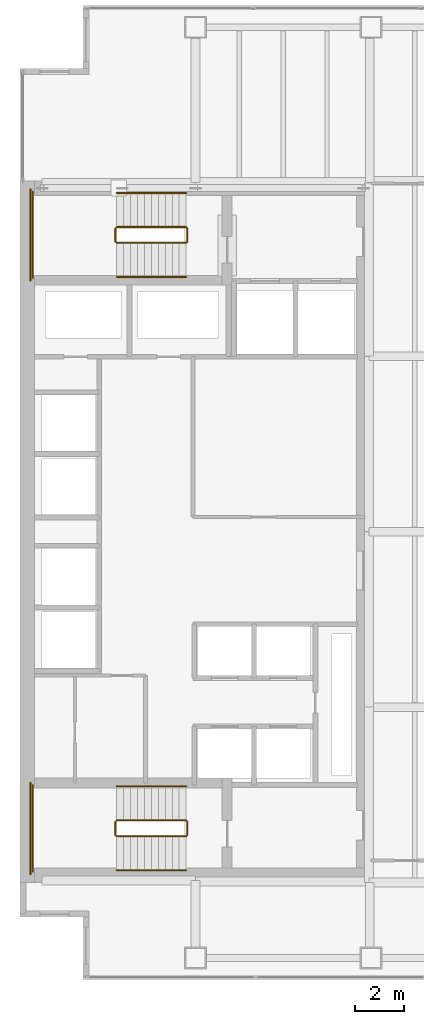
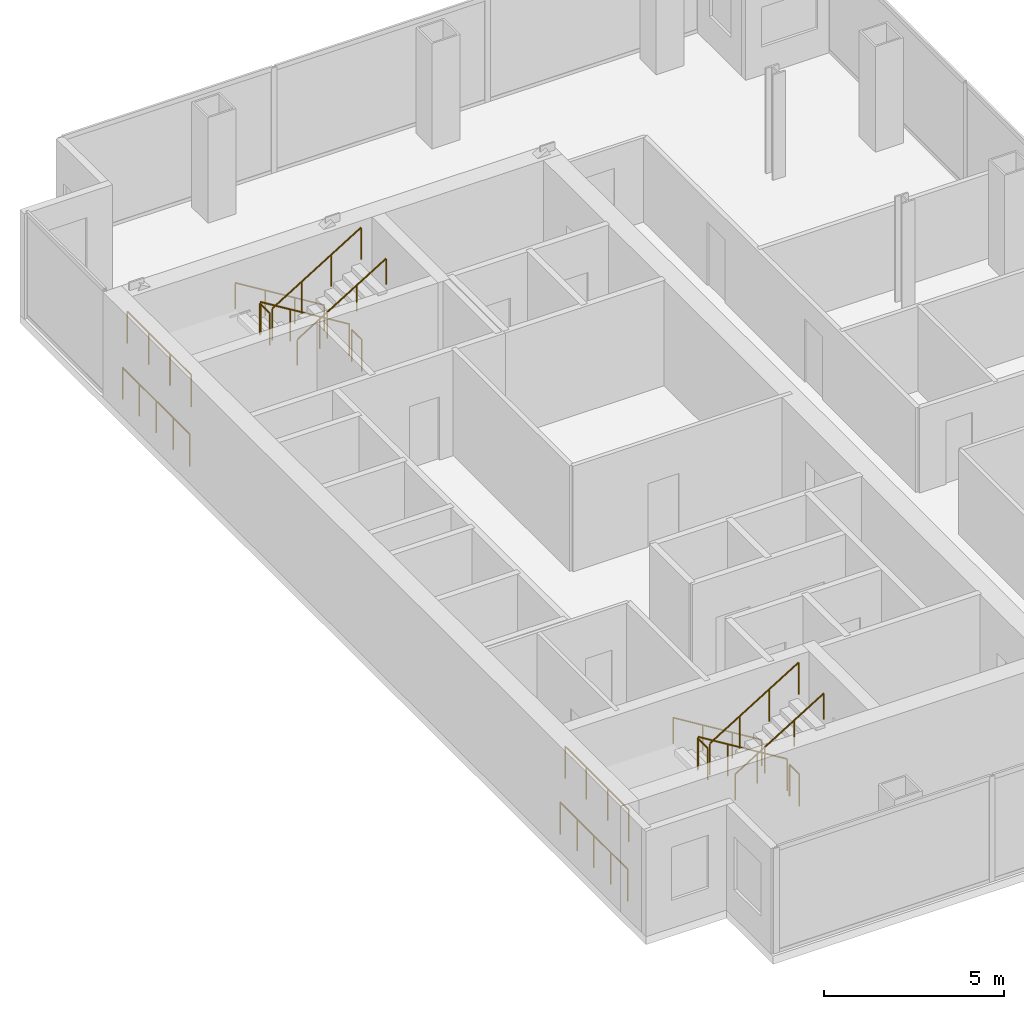
# One storey, part 23 of 23: 16 railings.
"""IFC4 building model written with IfcOpenShell, lengths in metres."""

from ifc_helpers import new_model, si_unit, direction, frame, origin, origin_2d, place, context, subcontext, project, spatial, circle, extrude, material, type_object, element, save


model = new_model("IFC4")

# Units and contexts
model_context = context("Model", 3, precision=1e-05, world=origin(), true_north=direction((0.0, 1.0)))
body_context = subcontext(model_context, "Body", "Model", "MODEL_VIEW")
ifc_project = project(units=[si_unit("LENGTHUNIT", "METRE"), si_unit("AREAUNIT", "SQUARE_METRE"), si_unit("VOLUMEUNIT", "CUBIC_METRE"), si_unit("PLANEANGLEUNIT", "RADIAN"), si_unit("MASSUNIT", "GRAM", prefix="KILO")], contexts=[model_context])

# Site, building, storey
site_placement = place(None, origin())
site = spatial("IfcSite", under=ifc_project, at=site_placement, CompositionType="ELEMENT")
building_placement = place(site_placement, origin())
building = spatial("IfcBuilding", under=site, at=building_placement, Name="Cobrela Telecom Tower", CompositionType="ELEMENT")
storey_placement = place(building_placement, frame((0.0, 0.0, 144.550048828125)))
storey = spatial("IfcBuildingStorey", under=building, at=storey_placement, Name="L36", CompositionType="ELEMENT", Elevation=144.550048828125)

# Railings
ifc_material = material(Name="Steel ASTM A36", Category="steel")
railing_type_1 = type_object("IfcRailingType", Name="RAIL-GUARD-1100", PredefinedType="GUARDRAIL", material=ifc_material)
railing_1_placement = place(storey_placement, frame((6.820068359375, 34.10009765625, 0.175048828125)))
element("IfcRailing", 1, at=railing_1_placement, inside=storey, type_object=railing_type_1, Name="L36 ST1 stair guard 1", PredefinedType="GUARDRAIL", context=body_context, shape_type="SweptSolid", body=[
    extrude(circle(Radius=0.02392578125, at=origin_2d()), frame((0.0, 0.0, 1.076171875), z_axis=(-0.852179220489, 0.0, 0.52325001306), x_axis=(0.0, -1.0, 0.0)), (0.0, 0.0, 1.0), 3.344482421875),
    extrude(circle(Radius=0.02099609375, at=origin_2d()), origin(), (0.0, 0.0, 1.0), 1.052001953125),
    extrude(circle(Radius=0.02099609375, at=origin_2d()), frame((-0.949951171875, 0.0, 0.583251953125)), (0.0, 0.0, 1.0), 1.052001953125),
    extrude(circle(Radius=0.02099609375, at=origin_2d()), frame((-1.900146484375, 0.0, 1.166748046875)), (0.0, 0.0, 1.0), 1.052001953125),
    extrude(circle(Radius=0.02099609375, at=origin_2d()), frame((-2.85009765625, 0.0, 1.75)), (0.0, 0.0, 1.0), 1.052001953125),
])
railing_2_placement = place(storey_placement, frame((3.919921875, 34.050048828125, 1.925048828125)))
element("IfcRailing", 2, at=railing_2_placement, inside=storey, type_object=railing_type_1, Name="L36 ST1 stair guard 2", PredefinedType="GUARDRAIL", context=body_context, shape_type="SweptSolid", body=[
    extrude(circle(Radius=0.02392578125, at=origin_2d()), frame((0.0, 0.0, 1.076171875), z_axis=(0.0, -1.0, 0.0), x_axis=(1.0, 0.0, 0.0)), (0.0, 0.0, 1.0), 0.550048828125),
    extrude(circle(Radius=0.02099609375, at=origin_2d()), origin(), (0.0, 0.0, 1.0), 1.052001953125),
    extrude(circle(Radius=0.02099609375, at=origin_2d()), frame((0.0, -0.550048828125, 0.0)), (0.0, 0.0, 1.0), 1.052001953125),
])
railing_3_placement = place(storey_placement, frame((0.530029296875, 35.550048828125, 1.925048828125)))
element("IfcRailing", 3, at=railing_3_placement, inside=storey, type_object=railing_type_1, Name="L36 ST1 stair guard 3", PredefinedType="GUARDRAIL", context=body_context, shape_type="SweptSolid", body=[
    extrude(circle(Radius=0.02392578125, at=origin_2d()), frame((0.0, 0.0, 1.076171875), z_axis=(0.0, -1.0, 0.0), x_axis=(1.0, 0.0, 0.0)), (0.0, 0.0, 1.0), 3.550048828125),
    extrude(circle(Radius=0.02099609375, at=origin_2d()), origin(), (0.0, 0.0, 1.0), 1.052001953125),
    extrude(circle(Radius=0.02099609375, at=origin_2d()), frame((0.0, -1.183349609375, 0.0)), (0.0, 0.0, 1.0), 1.052001953125),
    extrude(circle(Radius=0.02099609375, at=origin_2d()), frame((0.0, -2.36669921875, 0.0)), (0.0, 0.0, 1.0), 1.052001953125),
    extrude(circle(Radius=0.02099609375, at=origin_2d()), frame((0.0, -3.550048828125, 0.0)), (0.0, 0.0, 1.0), 1.052001953125),
])
railing_4_placement = place(storey_placement, frame((3.969970703125, 33.449951171875, 2.099853515625)))
element("IfcRailing", 4, at=railing_4_placement, inside=storey, type_object=railing_type_1, Name="L36 ST1 stair guard 4", PredefinedType="GUARDRAIL", context=body_context, shape_type="SweptSolid", body=[
    extrude(circle(Radius=0.02392578125, at=origin_2d()), frame((0.0, 0.0, 1.076171875), z_axis=(0.852179220489, 0.0, 0.52325001306), x_axis=(0.0, 1.0, 0.0)), (0.0, 0.0, 1.0), 3.344482421875),
    extrude(circle(Radius=0.02099609375, at=origin_2d()), origin(), (0.0, 0.0, 1.0), 1.052001953125),
    extrude(circle(Radius=0.02099609375, at=origin_2d()), frame((0.949951171875, 0.0, 0.583251953125)), (0.0, 0.0, 1.0), 1.052001953125),
    extrude(circle(Radius=0.02099609375, at=origin_2d()), frame((1.900146484375, 0.0, 1.166748046875)), (0.0, 0.0, 1.0), 1.052001953125),
    extrude(circle(Radius=0.02099609375, at=origin_2d()), frame((2.85009765625, 0.0, 1.75)), (0.0, 0.0, 1.0), 1.052001953125),
])
railing_5_placement = place(storey_placement, frame((6.8701171875, 34.050048828125, 0.0)))
element("IfcRailing", 5, at=railing_5_placement, inside=storey, type_object=railing_type_1, Name="L36 ST1 stair guard 5", PredefinedType="GUARDRAIL", context=body_context, shape_type="SweptSolid", body=[
    extrude(circle(Radius=0.02392578125, at=origin_2d()), frame((0.0, 0.0, 1.076171875), z_axis=(0.0, -1.0, 0.0), x_axis=(1.0, 0.0, 0.0)), (0.0, 0.0, 1.0), 0.550048828125),
    extrude(circle(Radius=0.02099609375, at=origin_2d()), origin(), (0.0, 0.0, 1.0), 1.052001953125),
    extrude(circle(Radius=0.02099609375, at=origin_2d()), frame((0.0, -0.550048828125, 0.0)), (0.0, 0.0, 1.0), 1.052001953125),
])
railing_6_placement = place(storey_placement, frame((0.429931640625, 35.64990234375, 0.0)))
element("IfcRailing", 6, at=railing_6_placement, inside=storey, type_object=railing_type_1, Name="L36 ST1 stair guard 6", PredefinedType="GUARDRAIL", context=body_context, shape_type="SweptSolid", body=[
    extrude(circle(Radius=0.02392578125, at=origin_2d()), frame((0.0, 0.0, 1.076171875), z_axis=(0.0, -1.0, 0.0), x_axis=(1.0, 0.0, 0.0)), (0.0, 0.0, 1.0), 3.75),
    extrude(circle(Radius=0.02099609375, at=origin_2d()), origin(), (0.0, 0.0, 1.0), 1.052001953125),
    extrude(circle(Radius=0.02099609375, at=origin_2d()), frame((0.0, -0.9375, 0.0)), (0.0, 0.0, 1.0), 1.052001953125),
    extrude(circle(Radius=0.02099609375, at=origin_2d()), frame((0.0, -1.875, 0.0)), (0.0, 0.0, 1.0), 1.052001953125),
    extrude(circle(Radius=0.02099609375, at=origin_2d()), frame((0.0, -2.8125, 0.0)), (0.0, 0.0, 1.0), 1.052001953125),
    extrude(circle(Radius=0.02099609375, at=origin_2d()), frame((0.0, -3.75, 0.0)), (0.0, 0.0, 1.0), 1.052001953125),
])
railing_7_placement = place(storey_placement, frame((6.820068359375, 9.75, 0.175048828125)))
element("IfcRailing", 7, at=railing_7_placement, inside=storey, type_object=railing_type_1, Name="L36 ST2 stair guard 1", PredefinedType="GUARDRAIL", context=body_context, shape_type="SweptSolid", body=[
    extrude(circle(Radius=0.02392578125, at=origin_2d()), frame((0.0, 0.0, 1.076171875), z_axis=(-0.852179220489, 0.0, 0.52325001306), x_axis=(0.0, -1.0, 0.0)), (0.0, 0.0, 1.0), 3.344482421875),
    extrude(circle(Radius=0.02099609375, at=origin_2d()), origin(), (0.0, 0.0, 1.0), 1.052001953125),
    extrude(circle(Radius=0.02099609375, at=origin_2d()), frame((-0.949951171875, 0.0, 0.583251953125)), (0.0, 0.0, 1.0), 1.052001953125),
    extrude(circle(Radius=0.02099609375, at=origin_2d()), frame((-1.900146484375, 0.0, 1.166748046875)), (0.0, 0.0, 1.0), 1.052001953125),
    extrude(circle(Radius=0.02099609375, at=origin_2d()), frame((-2.85009765625, 0.0, 1.75)), (0.0, 0.0, 1.0), 1.052001953125),
])
railing_8_placement = place(storey_placement, frame((3.919921875, 9.699951171875, 1.925048828125)))
element("IfcRailing", 8, at=railing_8_placement, inside=storey, type_object=railing_type_1, Name="L36 ST2 stair guard 2", PredefinedType="GUARDRAIL", context=body_context, shape_type="SweptSolid", body=[
    extrude(circle(Radius=0.02392578125, at=origin_2d()), frame((0.0, 0.0, 1.076171875), z_axis=(0.0, -1.0, 0.0), x_axis=(1.0, 0.0, 0.0)), (0.0, 0.0, 1.0), 0.550048828125),
    extrude(circle(Radius=0.02099609375, at=origin_2d()), origin(), (0.0, 0.0, 1.0), 1.052001953125),
    extrude(circle(Radius=0.02099609375, at=origin_2d()), frame((0.0, -0.550048828125, 0.0)), (0.0, 0.0, 1.0), 1.052001953125),
])
railing_9_placement = place(storey_placement, frame((0.530029296875, 11.199951171875, 1.925048828125)))
element("IfcRailing", 9, at=railing_9_placement, inside=storey, type_object=railing_type_1, Name="L36 ST2 stair guard 3", PredefinedType="GUARDRAIL", context=body_context, shape_type="SweptSolid", body=[
    extrude(circle(Radius=0.02392578125, at=origin_2d()), frame((0.0, 0.0, 1.076171875), z_axis=(0.0, -1.0, 0.0), x_axis=(1.0, 0.0, 0.0)), (0.0, 0.0, 1.0), 3.550048828125),
    extrude(circle(Radius=0.02099609375, at=origin_2d()), origin(), (0.0, 0.0, 1.0), 1.052001953125),
    extrude(circle(Radius=0.02099609375, at=origin_2d()), frame((0.0, -1.183349609375, 0.0)), (0.0, 0.0, 1.0), 1.052001953125),
    extrude(circle(Radius=0.02099609375, at=origin_2d()), frame((0.0, -2.36669921875, 0.0)), (0.0, 0.0, 1.0), 1.052001953125),
    extrude(circle(Radius=0.02099609375, at=origin_2d()), frame((0.0, -3.550048828125, 0.0)), (0.0, 0.0, 1.0), 1.052001953125),
])
railing_10_placement = place(storey_placement, frame((3.969970703125, 9.10009765625, 2.099853515625)))
element("IfcRailing", 10, at=railing_10_placement, inside=storey, type_object=railing_type_1, Name="L36 ST2 stair guard 4", PredefinedType="GUARDRAIL", context=body_context, shape_type="SweptSolid", body=[
    extrude(circle(Radius=0.02392578125, at=origin_2d()), frame((0.0, 0.0, 1.076171875), z_axis=(0.852179220489, 0.0, 0.52325001306), x_axis=(0.0, 1.0, 0.0)), (0.0, 0.0, 1.0), 3.344482421875),
    extrude(circle(Radius=0.02099609375, at=origin_2d()), origin(), (0.0, 0.0, 1.0), 1.052001953125),
    extrude(circle(Radius=0.02099609375, at=origin_2d()), frame((0.949951171875, 0.0, 0.583251953125)), (0.0, 0.0, 1.0), 1.052001953125),
    extrude(circle(Radius=0.02099609375, at=origin_2d()), frame((1.900146484375, 0.0, 1.166748046875)), (0.0, 0.0, 1.0), 1.052001953125),
    extrude(circle(Radius=0.02099609375, at=origin_2d()), frame((2.85009765625, 0.0, 1.75)), (0.0, 0.0, 1.0), 1.052001953125),
])
railing_11_placement = place(storey_placement, frame((6.8701171875, 9.699951171875, 0.0)))
element("IfcRailing", 11, at=railing_11_placement, inside=storey, type_object=railing_type_1, Name="L36 ST2 stair guard 5", PredefinedType="GUARDRAIL", context=body_context, shape_type="SweptSolid", body=[
    extrude(circle(Radius=0.02392578125, at=origin_2d()), frame((0.0, 0.0, 1.076171875), z_axis=(0.0, -1.0, 0.0), x_axis=(1.0, 0.0, 0.0)), (0.0, 0.0, 1.0), 0.550048828125),
    extrude(circle(Radius=0.02099609375, at=origin_2d()), origin(), (0.0, 0.0, 1.0), 1.052001953125),
    extrude(circle(Radius=0.02099609375, at=origin_2d()), frame((0.0, -0.550048828125, 0.0)), (0.0, 0.0, 1.0), 1.052001953125),
])
railing_12_placement = place(storey_placement, frame((0.429931640625, 11.300048828125, 0.0)))
element("IfcRailing", 12, at=railing_12_placement, inside=storey, type_object=railing_type_1, Name="L36 ST2 stair guard 6", PredefinedType="GUARDRAIL", context=body_context, shape_type="SweptSolid", body=[
    extrude(circle(Radius=0.02392578125, at=origin_2d()), frame((0.0, 0.0, 1.076171875), z_axis=(0.0, -1.0, 0.0), x_axis=(1.0, 0.0, 0.0)), (0.0, 0.0, 1.0), 3.75),
    extrude(circle(Radius=0.02099609375, at=origin_2d()), origin(), (0.0, 0.0, 1.0), 1.052001953125),
    extrude(circle(Radius=0.02099609375, at=origin_2d()), frame((0.0, -0.9375, 0.0)), (0.0, 0.0, 1.0), 1.052001953125),
    extrude(circle(Radius=0.02099609375, at=origin_2d()), frame((0.0, -1.875, 0.0)), (0.0, 0.0, 1.0), 1.052001953125),
    extrude(circle(Radius=0.02099609375, at=origin_2d()), frame((0.0, -2.8125, 0.0)), (0.0, 0.0, 1.0), 1.052001953125),
    extrude(circle(Radius=0.02099609375, at=origin_2d()), frame((0.0, -3.75, 0.0)), (0.0, 0.0, 1.0), 1.052001953125),
])
railing_type_2 = type_object("IfcRailingType", Name="RAIL-HAND-920", PredefinedType="HANDRAIL", material=ifc_material)
railing_13_placement = place(storey_placement, frame((6.820068359375, 35.5, 0.175048828125)))
element("IfcRailing", 13, at=railing_13_placement, inside=storey, type_object=railing_type_2, Name="L36 ST1 stair handrail 1", PredefinedType="HANDRAIL", context=body_context, shape_type="SweptSolid", body=[
    extrude(circle(Radius=0.02392578125, at=origin_2d()), frame((0.0, 0.0, 0.8759765625), z_axis=(-0.852179220489, 0.0, 0.52325001306), x_axis=(0.0, -1.0, 0.0)), (0.0, 0.0, 1.0), 3.344482421875),
    extrude(circle(Radius=0.02099609375, at=origin_2d()), origin(), (0.0, 0.0, 1.0), 0.851806640625),
    extrude(circle(Radius=0.02099609375, at=origin_2d()), frame((-0.949951171875, 0.0, 0.583251953125)), (0.0, 0.0, 1.0), 0.851806640625),
    extrude(circle(Radius=0.02099609375, at=origin_2d()), frame((-1.900146484375, 0.0, 1.166748046875)), (0.0, 0.0, 1.0), 0.851806640625),
    extrude(circle(Radius=0.02099609375, at=origin_2d()), frame((-2.85009765625, 0.0, 1.75)), (0.0, 0.0, 1.0), 0.851806640625),
])
railing_14_placement = place(storey_placement, frame((3.969970703125, 32.050048828125, 2.099853515625)))
element("IfcRailing", 14, at=railing_14_placement, inside=storey, type_object=railing_type_2, Name="L36 ST1 stair handrail 2", PredefinedType="HANDRAIL", context=body_context, shape_type="SweptSolid", body=[
    extrude(circle(Radius=0.02392578125, at=origin_2d()), frame((0.0, 0.0, 0.8759765625), z_axis=(0.852179220489, 0.0, 0.52325001306), x_axis=(0.0, 1.0, 0.0)), (0.0, 0.0, 1.0), 3.344482421875),
    extrude(circle(Radius=0.02099609375, at=origin_2d()), origin(), (0.0, 0.0, 1.0), 0.851806640625),
    extrude(circle(Radius=0.02099609375, at=origin_2d()), frame((0.949951171875, 0.0, 0.583251953125)), (0.0, 0.0, 1.0), 0.851806640625),
    extrude(circle(Radius=0.02099609375, at=origin_2d()), frame((1.900146484375, 0.0, 1.166748046875)), (0.0, 0.0, 1.0), 0.851806640625),
    extrude(circle(Radius=0.02099609375, at=origin_2d()), frame((2.85009765625, 0.0, 1.75)), (0.0, 0.0, 1.0), 0.851806640625),
])
railing_15_placement = place(storey_placement, frame((6.820068359375, 11.14990234375, 0.175048828125)))
element("IfcRailing", 15, at=railing_15_placement, inside=storey, type_object=railing_type_2, Name="L36 ST2 stair handrail 1", PredefinedType="HANDRAIL", context=body_context, shape_type="SweptSolid", body=[
    extrude(circle(Radius=0.02392578125, at=origin_2d()), frame((0.0, 0.0, 0.8759765625), z_axis=(-0.852179220489, 0.0, 0.52325001306), x_axis=(0.0, -1.0, 0.0)), (0.0, 0.0, 1.0), 3.344482421875),
    extrude(circle(Radius=0.02099609375, at=origin_2d()), origin(), (0.0, 0.0, 1.0), 0.851806640625),
    extrude(circle(Radius=0.02099609375, at=origin_2d()), frame((-0.949951171875, 0.0, 0.583251953125)), (0.0, 0.0, 1.0), 0.851806640625),
    extrude(circle(Radius=0.02099609375, at=origin_2d()), frame((-1.900146484375, 0.0, 1.166748046875)), (0.0, 0.0, 1.0), 0.851806640625),
    extrude(circle(Radius=0.02099609375, at=origin_2d()), frame((-2.85009765625, 0.0, 1.75)), (0.0, 0.0, 1.0), 0.851806640625),
])
railing_16_placement = place(storey_placement, frame((3.969970703125, 7.699951171875, 2.099853515625)))
element("IfcRailing", 16, at=railing_16_placement, inside=storey, type_object=railing_type_2, Name="L36 ST2 stair handrail 2", PredefinedType="HANDRAIL", context=body_context, shape_type="SweptSolid", body=[
    extrude(circle(Radius=0.02392578125, at=origin_2d()), frame((0.0, 0.0, 0.8759765625), z_axis=(0.852179220489, 0.0, 0.52325001306), x_axis=(0.0, 1.0, 0.0)), (0.0, 0.0, 1.0), 3.344482421875),
    extrude(circle(Radius=0.02099609375, at=origin_2d()), origin(), (0.0, 0.0, 1.0), 0.851806640625),
    extrude(circle(Radius=0.02099609375, at=origin_2d()), frame((0.949951171875, 0.0, 0.583251953125)), (0.0, 0.0, 1.0), 0.851806640625),
    extrude(circle(Radius=0.02099609375, at=origin_2d()), frame((1.900146484375, 0.0, 1.166748046875)), (0.0, 0.0, 1.0), 0.851806640625),
    extrude(circle(Radius=0.02099609375, at=origin_2d()), frame((2.85009765625, 0.0, 1.75)), (0.0, 0.0, 1.0), 0.851806640625),
])

save(model, "model.ifc")
